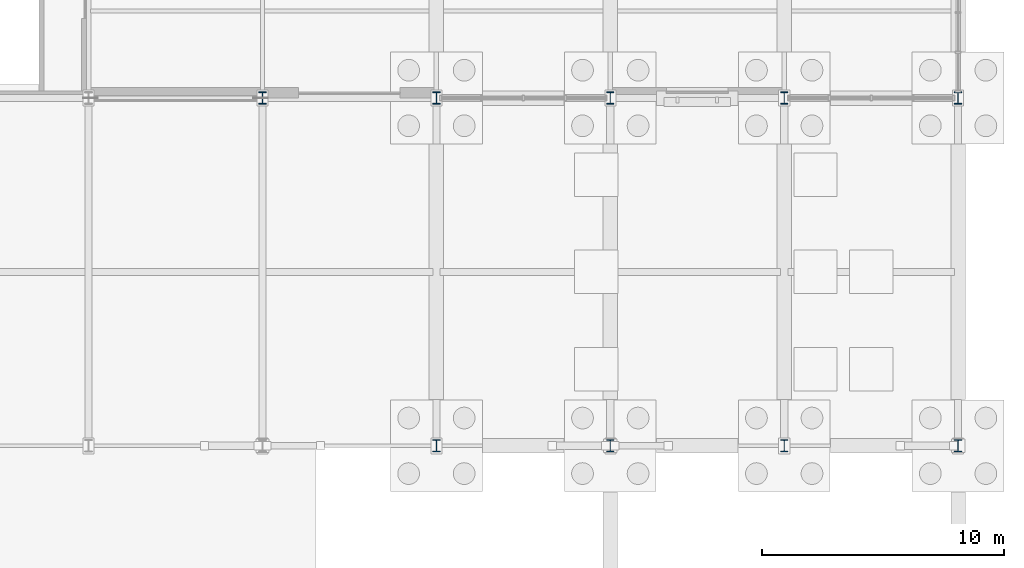
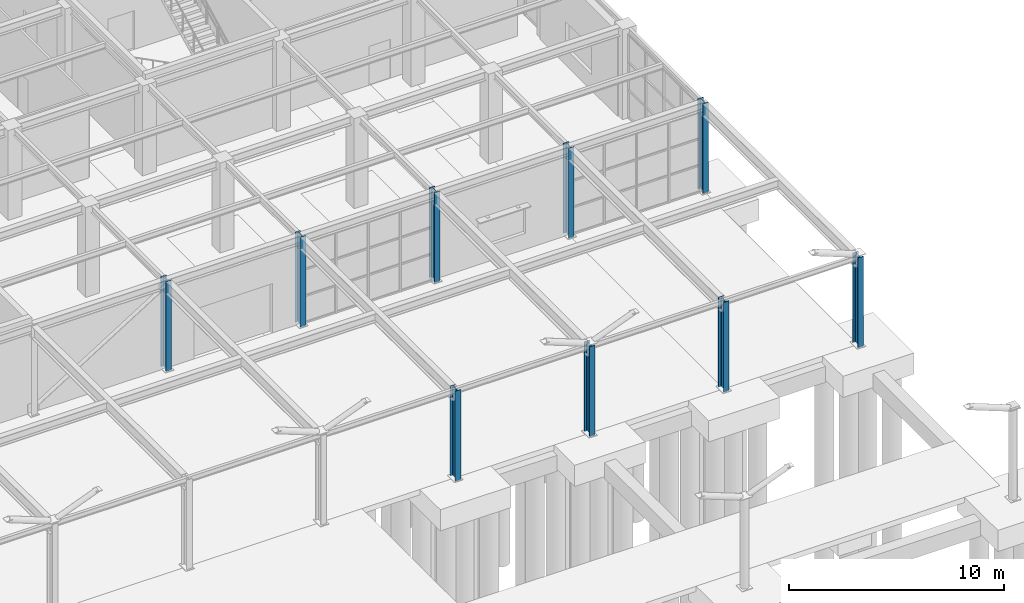
# One storey, part 18 of 75: 9 columns.
"""IFC4 building model written with IfcOpenShell, lengths in metres."""

from ifc_helpers import new_model, si_unit, direction, frame, origin, origin_2d, place, context, subcontext, project, spatial, i_section, extrude, material, material_profile, profile_set, type_object, element, save


model = new_model("IFC4")

# Units and contexts
model_context = context("Model", 3, precision=1e-05, world=origin(), true_north=direction((0.0, 1.0)))
body_context = subcontext(model_context, "Body", "Model", "MODEL_VIEW")
ifc_project = project(units=[si_unit("LENGTHUNIT", "METRE"), si_unit("AREAUNIT", "SQUARE_METRE"), si_unit("VOLUMEUNIT", "CUBIC_METRE"), si_unit("PLANEANGLEUNIT", "RADIAN"), si_unit("MASSUNIT", "GRAM", prefix="KILO")], contexts=[model_context])

# Site, building, storey
site_placement = place(None, origin())
site = spatial("IfcSite", under=ifc_project, at=site_placement, CompositionType="ELEMENT")
building_placement = place(site_placement, origin())
building = spatial("IfcBuilding", under=site, at=building_placement, Name="Leyfeld Transit Interchange", CompositionType="ELEMENT")
storey_placement = place(building_placement, origin())
storey = spatial("IfcBuildingStorey", under=building, at=storey_placement, Name="L00", CompositionType="ELEMENT", Elevation=0.0)

# Columns
ifc_material = material(Name="Steel S355J2", Category="steel")
ifc_material_profile = material_profile(ifc_material, i_section(OverallWidth=0.300048828125, OverallDepth=0.5, WebThickness=0.014404296875, FlangeThickness=0.028076171875, FilletRadius=0.027099609375, at=origin_2d()), Name="HEB 500")
ifc_profile_set = profile_set([ifc_material_profile], Name="Steel S355J2")
column_type = type_object("IfcColumnType", Name="COL-STL-HEB500", PredefinedType="COLUMN", material=ifc_profile_set)
for number, where, z_axis, x_axis, name in (
    (1, (158.39990234375, 57.60009765625, 0.0), (0.0, 0.0, 1.0), (1.0, 0.0, 0.0), "Column COL-L00-1584_0576"),
    (2, (165.60009765625, 43.199951171875, 0.0), (0.0, 0.0, 1.0), (1.0, 0.0, 0.0), "Column COL-L00-1656_0432"),
    (3, (165.60009765625, 57.60009765625, 0.0), (0.0, 0.0, 1.0), (1.0, 0.0, 0.0), "Column COL-L00-1656_0576"),
    (4, (172.800048828125, 43.199951171875, 0.0), (0.0, 0.0, 1.0), (1.0, 0.0, 0.0), "Column COL-L00-1728_0432"),
    (5, (172.800048828125, 57.60009765625, 0.0), (0.0, 0.0, 1.0), (1.0, 0.0, 0.0), "Column COL-L00-1728_0576"),
    (6, (180.0, 43.199951171875, 0.0), (0.0, 0.0, 1.0), (1.0, 0.0, 0.0), "Column COL-L00-1800_0432"),
    (7, (180.0, 57.60009765625, 0.0), (0.0, 0.0, 1.0), (1.0, 0.0, 0.0), "Column COL-L00-1800_0576"),
    (8, (187.199951171875, 43.199951171875, 0.0), (0.0, 0.0, 1.0), (1.0, 0.0, 0.0), "Column COL-L00-1872_0432"),
    (9, (187.199951171875, 57.60009765625, 0.0), (0.0, 0.0, 1.0), (1.0, 0.0, 0.0), "Column COL-L00-1872_0576"),
):
    element("IfcColumn", number, at=place(storey_placement, frame(where, z_axis=z_axis, x_axis=x_axis)), inside=storey, type_object=column_type, Name=name, PredefinedType="COLUMN", context=body_context, shape_type="SweptSolid", body=[
        extrude(i_section(OverallWidth=0.300048828125, OverallDepth=0.5, WebThickness=0.014404296875, FlangeThickness=0.028076171875, FilletRadius=0.027099609375, at=origin_2d()), origin(), (0.0, 0.0, 1.0), 5.10009765625),
    ])

save(model, "model.ifc")
